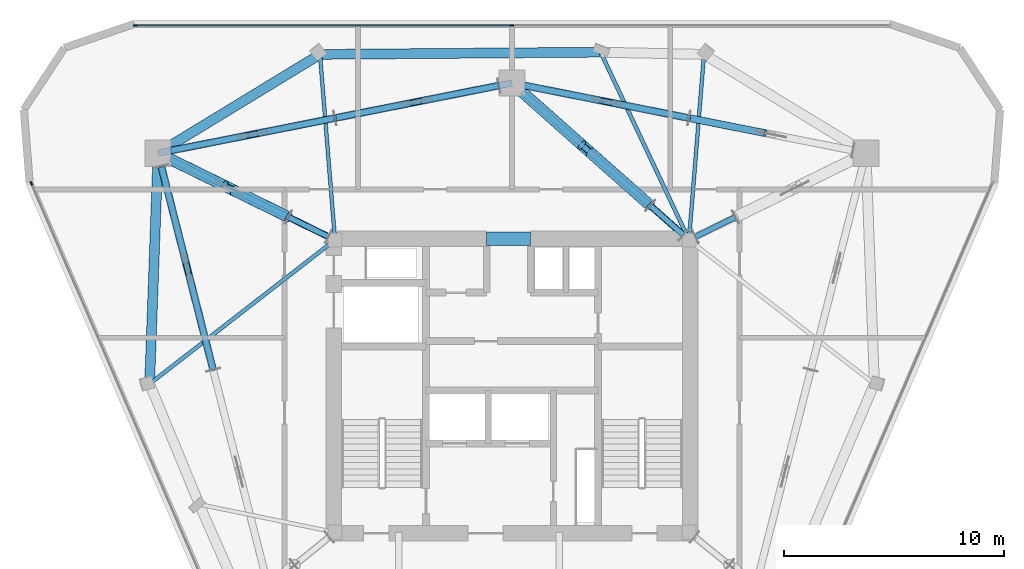
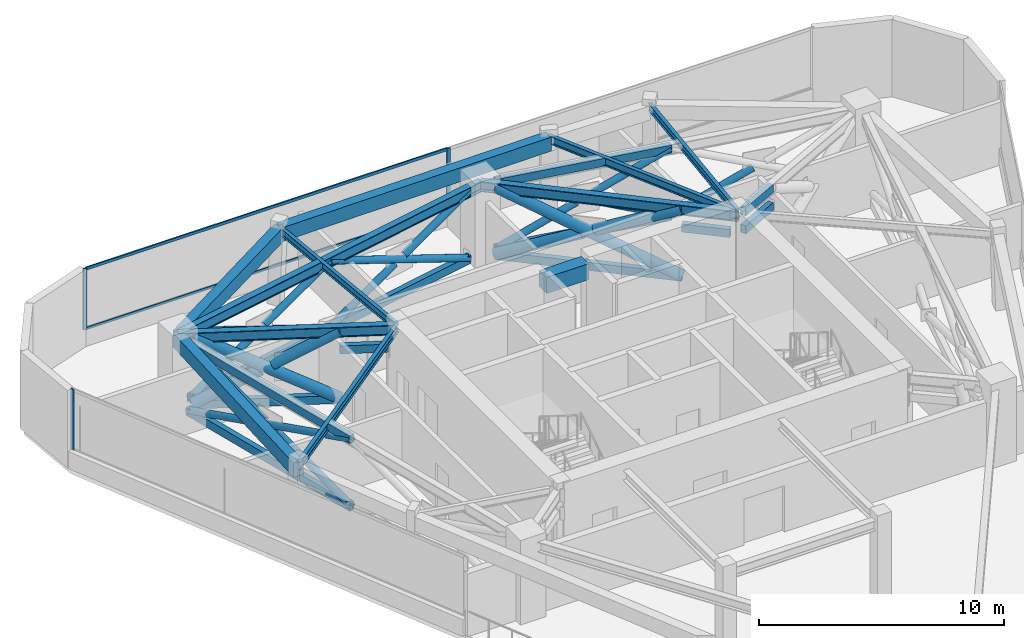
# One storey, part 4 of 10: 42 members, 11 beams, 2 elements without a shape of their own.
"""IFC4 building model written with IfcOpenShell, lengths in metres."""

from ifc_helpers import new_model, si_unit, direction, frame, origin, origin_2d, place, context, subcontext, project, spatial, rectangle, hollow_rectangle, hollow_circle, i_section, extrude, material, layer, layer_set, material_profile, profile_set, type_object, element, aggregate, save


model = new_model("IFC4")

# Units and contexts
model_context = context("Model", 3, precision=1e-05, world=origin(), true_north=direction((0.0, 1.0)))
body_context = subcontext(model_context, "Body", "Model", "MODEL_VIEW")
ifc_project = project(units=[si_unit("LENGTHUNIT", "METRE"), si_unit("AREAUNIT", "SQUARE_METRE"), si_unit("VOLUMEUNIT", "CUBIC_METRE"), si_unit("PLANEANGLEUNIT", "RADIAN"), si_unit("MASSUNIT", "GRAM", prefix="KILO")], contexts=[model_context])

# Site, building, storey
site_placement = place(None, origin())
site = spatial("IfcSite", under=ifc_project, at=site_placement, CompositionType="ELEMENT")
building_placement = place(site_placement, origin())
building = spatial("IfcBuilding", under=site, at=building_placement, Name="Talyreon Biosciences Tower", CompositionType="ELEMENT")
storey_placement = place(building_placement, frame((0.0, 0.0, 275.39990234375)))
storey = spatial("IfcBuildingStorey", under=building, at=storey_placement, Name="L73", CompositionType="ELEMENT", Elevation=275.39990234375)

# Members
ifc_material_1 = material(Name="Steel SM355", Category="steel")
ifc_material_profile_1 = material_profile(ifc_material_1, hollow_rectangle(XDim=0.25, YDim=0.39990234375, WallThickness=0.01611328125, at=origin_2d()), Name="RHS 400x250x16")
ifc_profile_set_1 = profile_set([ifc_material_profile_1], Name="Steel SM355")
member_type_1 = type_object("IfcMemberType", Name="BeltChord_RHS400x250", PredefinedType="CHORD", material=ifc_profile_set_1)
for number, where, z_axis, x_axis, name in (
    (1, (74.350830078125, 74.797607421875, 3.60009765625), (0.897841833821, 0.440318113914, 0.0), (-0.440318113914, 0.897841833821, 0.0), "L73 Outrigger Core Top Tie 3"),
    (2, (74.350830078125, 74.797607421875, 2.7001953125), (0.897841833821, 0.440318113914, 0.0), (-0.440318113914, 0.897841833821, 0.0), "L73 Outrigger Core Plenum Tie 3"),
    (3, (73.79931640625, 74.872314453125, 3.60009765625), (-0.748184255594, 0.663491009495, 0.0), (-0.663491009495, -0.748184255594, 0.0), "L73 Outrigger Core Top Tie 4"),
    (4, (73.79931640625, 74.872314453125, 2.7001953125), (-0.748184255594, 0.663491009495, 0.0), (-0.663491009495, -0.748184255594, 0.0), "L73 Outrigger Core Plenum Tie 4"),
):
    element("IfcMember", number, at=place(storey_placement, frame(where, z_axis=z_axis, x_axis=x_axis)), inside=storey, type_object=member_type_1, Name=name, PredefinedType="CHORD", context=body_context, shape_type="SweptSolid", body=[
        extrude(hollow_rectangle(XDim=0.25, YDim=0.39990234375, WallThickness=0.01611328125, at=origin_2d()), origin(), (0.0, 0.0, 1.0), 2.014892578125),
    ])
for number, where, z_axis, x_axis, name in (
    (5, (72.291748046875, 76.209228515625, 0.239990234375), (-0.748173880498, 0.663502708766, 0.0), (-0.663502708766, -0.748173880498, 0.0), "L73 Truss Bottom Chord OUT-L73-R4"),
    (6, (72.291748046875, 76.209228515625, 3.60009765625), (-0.748173880498, 0.663502708766, 0.0), (-0.663502708766, -0.748173880498, 0.0), "L73 Truss Top Chord OUT-L73-R4"),
):
    element("IfcMember", number, at=place(storey_placement, frame(where, z_axis=z_axis, x_axis=x_axis)), inside=storey, type_object=member_type_1, Name=name, PredefinedType="CHORD", context=body_context, shape_type="SweptSolid", body=[
        extrude(hollow_rectangle(XDim=0.25, YDim=0.39990234375, WallThickness=0.01611328125, at=origin_2d()), origin(), (0.0, 0.0, 1.0), 7.799560546875),
    ])
for number, where, z_axis, x_axis, name in (
    (7, (57.649169921875, 74.797607421875, 3.60009765625), (-0.897841833821, 0.440318113914, 0.0), (-0.440318113914, -0.897841833821, 0.0), "L73 Outrigger Core Top Tie 5"),
    (8, (57.649169921875, 74.797607421875, 2.7001953125), (-0.897841833821, 0.440318113914, 0.0), (-0.440318113914, -0.897841833821, 0.0), "L73 Outrigger Core Plenum Tie 5"),
):
    element("IfcMember", number, at=place(storey_placement, frame(where, z_axis=z_axis, x_axis=x_axis)), inside=storey, type_object=member_type_1, Name=name, PredefinedType="CHORD", context=body_context, shape_type="SweptSolid", body=[
        extrude(hollow_rectangle(XDim=0.25, YDim=0.39990234375, WallThickness=0.01611328125, at=origin_2d()), origin(), (0.0, 0.0, 1.0), 2.014892578125),
    ])
for number, where, z_axis, x_axis, name in (
    (9, (55.840087890625, 75.684814453125, 0.239990234375), (-0.897870334783, 0.440259993545, 0.0), (-0.440259993545, -0.897870334783, 0.0), "L73 Truss Bottom Chord OUT-L73-R5"),
    (10, (55.840087890625, 75.684814453125, 3.60009765625), (-0.897870334783, 0.440259993545, 0.0), (-0.440259993545, -0.897870334783, 0.0), "L73 Truss Top Chord OUT-L73-R5"),
):
    element("IfcMember", number, at=place(storey_placement, frame(where, z_axis=z_axis, x_axis=x_axis)), inside=storey, type_object=member_type_1, Name=name, PredefinedType="CHORD", context=body_context, shape_type="SweptSolid", body=[
        extrude(hollow_rectangle(XDim=0.25, YDim=0.39990234375, WallThickness=0.01611328125, at=origin_2d()), origin(), (0.0, 0.0, 1.0), 6.00830078125),
    ])
for number, where, z_axis, x_axis, name in (
    (11, (74.05126953125, 80.19384765625, 0.239990234375), (-0.980933774258, 0.194342302444, 0.0), (-0.194342302444, -0.980933774258, 0.0), "L73 Truss Bottom Chord BELT-L73-B3S2"),
    (12, (74.05126953125, 80.19384765625, 3.60009765625), (-0.980933774258, 0.194342302444, 0.0), (-0.194342302444, -0.980933774258, 0.0), "L73 Truss Top Chord BELT-L73-B3S2"),
    (13, (65.401611328125, 81.67041015625, 0.239990234375), (-0.980933774258, -0.194342302444, 0.0), (0.194342302444, -0.980933774258, 0.0), "L73 Truss Bottom Chord BELT-L73-B4S1"),
    (14, (65.401611328125, 81.67041015625, 3.60009765625), (-0.980933774258, -0.194342302444, 0.0), (0.194342302444, -0.980933774258, 0.0), "L73 Truss Top Chord BELT-L73-B4S1"),
):
    element("IfcMember", number, at=place(storey_placement, frame(where, z_axis=z_axis, x_axis=x_axis)), inside=storey, type_object=member_type_1, Name=name, PredefinedType="CHORD", context=body_context, shape_type="SweptSolid", body=[
        extrude(hollow_rectangle(XDim=0.25, YDim=0.39990234375, WallThickness=0.01611328125, at=origin_2d()), origin(), (0.0, 0.0, 1.0), 7.59765625),
    ])
for number, where, z_axis, x_axis, name in (
    (15, (57.94873046875, 80.19384765625, 0.239990234375), (-0.98093256056, -0.19434842843, 0.0), (0.19434842843, -0.98093256056, 0.0), "L73 Truss Bottom Chord BELT-L73-B4S2"),
    (16, (57.94873046875, 80.19384765625, 3.60009765625), (-0.98093256056, -0.19434842843, 0.0), (0.19434842843, -0.98093256056, 0.0), "L73 Truss Top Chord BELT-L73-B4S2"),
):
    element("IfcMember", number, at=place(storey_placement, frame(where, z_axis=z_axis, x_axis=x_axis)), inside=storey, type_object=member_type_1, Name=name, PredefinedType="CHORD", context=body_context, shape_type="SweptSolid", body=[
        extrude(hollow_rectangle(XDim=0.25, YDim=0.39990234375, WallThickness=0.01611328125, at=origin_2d()), origin(), (0.0, 0.0, 1.0), 7.597412109375),
    ])
for number, where, z_axis, x_axis, name in (
    (17, (50.048095703125, 78.007568359375, 0.239990234375), (0.246534116519, -0.969134113213, 0.0), (0.969134113213, 0.246534116519, 0.0), "L73 Truss Bottom Chord BELT-L73-B5S1"),
    (18, (50.048095703125, 78.007568359375, 3.60009765625), (0.246534116519, -0.969134113213, 0.0), (0.969134113213, 0.246534116519, 0.0), "L73 Truss Top Chord BELT-L73-B5S1"),
):
    element("IfcMember", number, at=place(storey_placement, frame(where, z_axis=z_axis, x_axis=x_axis)), inside=storey, type_object=member_type_1, Name=name, PredefinedType="CHORD", context=body_context, shape_type="SweptSolid", body=[
        extrude(hollow_rectangle(XDim=0.25, YDim=0.39990234375, WallThickness=0.01611328125, at=origin_2d()), origin(), (0.0, 0.0, 1.0), 9.563232421875),
    ])

# Curtain wall, members
ifc_material_2 = material(Name="Thermally broken aluminium and low-E glazing", Category="aluminium")
ifc_layer = layer(ifc_material_2, 0.175048828125)
ifc_layer_set = layer_set([ifc_layer], Name="Thermally broken aluminium and low-E glazing")
curtain_wall_type = type_object("IfcCurtainWallType", Name="CurtainWall_Zone5CompLab", PredefinedType="NOTDEFINED", material=ifc_layer_set)
curtain_wall_1_placement = place(storey_placement, origin())
curtain_wall_1 = element("IfcCurtainWall", 19, at=curtain_wall_1_placement, inside=storey, type_object=curtain_wall_type, Name="L73 Unitised Curtain Wall FCW-L73-03", PredefinedType="NOTDEFINED")
ifc_material_3 = material(Name="Anodised thermally broken aluminium", Category="aluminium")
ifc_material_profile_2 = material_profile(ifc_material_3, rectangle(XDim=0.06494140625, YDim=0.179931640625, at=origin_2d()), Name="ALUM MULLION 65x180")
ifc_profile_set_2 = profile_set([ifc_material_profile_2], Name="Anodised thermally broken aluminium")
member_type_2 = type_object("IfcMemberType", Name="CWMullion_65x180", PredefinedType="MULLION", material=ifc_profile_set_2)
member_1_placement = place(storey_placement, frame((48.859375, 84.404052734375, 0.81005859375), z_axis=(0.0, 0.0, 1.0), x_axis=(0.0, 1.0, 0.0)))
member_1 = element("IfcMember", 20, at=member_1_placement, type_object=member_type_2, Name="CW6 mullion 1", PredefinedType="MULLION", context=body_context, shape_type="SweptSolid", body=[
    extrude(rectangle(XDim=0.06494140625, YDim=0.179931640625, at=origin_2d()), origin(), (0.0, 0.0, 1.0), 3.0400390625),
])
member_2_placement = place(storey_placement, frame((66.0, 84.404052734375, 0.81005859375), z_axis=(0.0, 0.0, 1.0), x_axis=(0.0, 1.0, 0.0)))
member_2 = element("IfcMember", 21, at=member_2_placement, type_object=member_type_2, Name="CW6 mullion 2", PredefinedType="MULLION", context=body_context, shape_type="SweptSolid", body=[
    extrude(rectangle(XDim=0.06494140625, YDim=0.179931640625, at=origin_2d()), origin(), (0.0, 0.0, 1.0), 3.0400390625),
])

# Curtain wall, member
curtain_wall_2_placement = place(storey_placement, origin())
curtain_wall_2 = element("IfcCurtainWall", 22, at=curtain_wall_2_placement, inside=storey, type_object=curtain_wall_type, Name="L73 Unitised Curtain Wall FCW-L73-09", PredefinedType="NOTDEFINED")
member_3_placement = place(storey_placement, frame((44.140380859375, 77.22216796875, 0.81005859375), z_axis=(0.0, 0.0, 1.0), x_axis=(-0.917866750058, -0.39688868608, 0.0)))
member_3 = element("IfcMember", 23, at=member_3_placement, type_object=member_type_2, Name="CW6 mullion 2", PredefinedType="MULLION", context=body_context, shape_type="SweptSolid", body=[
    extrude(rectangle(XDim=0.06494140625, YDim=0.179931640625, at=origin_2d()), origin(), (0.0, 0.0, 1.0), 3.0400390625),
])
aggregate(curtain_wall_2, [member_3])

# Member
ifc_material_profile_3 = material_profile(ifc_material_3, rectangle(XDim=0.06494140625, YDim=0.139892578125, at=origin_2d()), Name="ALUM TRANSOM 65x140")
ifc_profile_set_3 = profile_set([ifc_material_profile_3], Name="Anodised thermally broken aluminium")
member_type_3 = type_object("IfcMemberType", Name="CWTransom_65x140", PredefinedType="USERDEFINED", material=ifc_profile_set_3)
member_4_placement = place(storey_placement, frame((48.891845703125, 84.404052734375, 0.842529296875), z_axis=(1.0, 0.0, 0.0), x_axis=(0.0, 1.0, 0.0)))
member_4 = element("IfcMember", 24, at=member_4_placement, type_object=member_type_3, Name="CW6 transom 1.1", ObjectType="TRANSOM", PredefinedType="USERDEFINED", context=body_context, shape_type="SweptSolid", body=[
    extrude(rectangle(XDim=0.06494140625, YDim=0.139892578125, at=origin_2d()), origin(), (0.0, 0.0, 1.0), 17.07568359375),
])

member_5_placement = place(storey_placement, frame((48.891845703125, 84.404052734375, 3.817626953125), z_axis=(1.0, 0.0, 0.0), x_axis=(0.0, 1.0, 0.0)))
member_5 = element("IfcMember", 25, at=member_5_placement, type_object=member_type_3, Name="CW6 transom 1.2", ObjectType="TRANSOM", PredefinedType="USERDEFINED", context=body_context, shape_type="SweptSolid", body=[
    extrude(rectangle(XDim=0.06494140625, YDim=0.139892578125, at=origin_2d()), origin(), (0.0, 0.0, 1.0), 17.07568359375),
])

aggregate(curtain_wall_1, [member_1, member_2, member_4, member_5])

# Beams
ifc_material_4 = material(Name="Concrete C50/60", Category="concrete")
ifc_material_profile_4 = material_profile(ifc_material_4, rectangle(XDim=0.60009765625, YDim=0.800048828125, at=origin_2d()), Name="RCB 600x800")
ifc_profile_set_4 = profile_set([ifc_material_profile_4], Name="Concrete C50/60")
beam_type_1 = type_object("IfcBeamType", Name="CoreCouplingLintel_600x800", PredefinedType="LINTEL", material=ifc_profile_set_4)
beam_1_placement = place(storey_placement, frame((64.85009765625, 74.699951171875, 3.4501953125), z_axis=(1.0, 0.0, 0.0), x_axis=(0.0, 1.0, 0.0)))
element("IfcBeam", 26, at=beam_1_placement, inside=storey, type_object=beam_type_1, Name="L73 Core Coupling Lintel", PredefinedType="LINTEL", context=body_context, shape_type="SweptSolid", body=[
    extrude(rectangle(XDim=0.60009765625, YDim=0.800048828125, at=origin_2d()), origin(), (0.0, 0.0, 1.0), 2.0),
])
ifc_material_5 = material(Name="Precast concrete C45/55", Category="concrete")
ifc_material_profile_5 = material_profile(ifc_material_5, rectangle(XDim=0.449951171875, YDim=0.699951171875, at=origin_2d()), Name="RCB 450x700")
ifc_profile_set_5 = profile_set([ifc_material_profile_5], Name="Precast concrete C45/55")
beam_type_2 = type_object("IfcBeamType", Name="ExpressedSpandrel_450x700", PredefinedType="SPANDREL", material=ifc_profile_set_5)
beam_2_placement = place(storey_placement, frame((70.031005859375, 83.189453125, 3.5), z_axis=(-0.999969405563, -0.007822271911, 0.0), x_axis=(0.007822271911, -0.999969405563, 0.0)))
element("IfcBeam", 27, at=beam_2_placement, inside=storey, type_object=beam_type_2, Name="L73 Expressed Horizontal Concrete Spandrel 07", PredefinedType="SPANDREL", context=body_context, shape_type="SweptSolid", body=[
    extrude(rectangle(XDim=0.449951171875, YDim=0.699951171875, at=origin_2d()), origin(), (0.0, 0.0, 1.0), 12.765380859375),
])
beam_3_placement = place(storey_placement, frame((57.26611328125, 83.089599609375, 3.5), z_axis=(-0.853897379742, -0.520441413484, 0.0), x_axis=(0.520441413484, -0.853897379742, 0.0)))
element("IfcBeam", 28, at=beam_3_placement, inside=storey, type_object=beam_type_2, Name="L73 Expressed Horizontal Concrete Spandrel 08", PredefinedType="SPANDREL", context=body_context, shape_type="SweptSolid", body=[
    extrude(rectangle(XDim=0.449951171875, YDim=0.699951171875, at=origin_2d()), origin(), (0.0, 0.0, 1.0), 8.629150390625),
])
beam_4_placement = place(storey_placement, frame((49.897705078125, 78.5986328125, 3.5), z_axis=(-0.036243793387, -0.999342977881, 0.0), x_axis=(0.999342977881, -0.036243793387, 0.0)))
element("IfcBeam", 29, at=beam_4_placement, inside=storey, type_object=beam_type_2, Name="L73 Expressed Horizontal Concrete Spandrel 09", PredefinedType="SPANDREL", context=body_context, shape_type="SweptSolid", body=[
    extrude(rectangle(XDim=0.449951171875, YDim=0.699951171875, at=origin_2d()), origin(), (0.0, 0.0, 1.0), 10.50146484375),
])

# Members
ifc_material_profile_6 = material_profile(ifc_material_1, hollow_circle(Radius=0.25390625, WallThickness=0.02001953125, at=origin_2d()), Name="CHS 508x20")
ifc_profile_set_6 = profile_set([ifc_material_profile_6], Name="Steel SM355")
member_type_4 = type_object("IfcMemberType", Name="OutriggerBrace_CHS508", PredefinedType="BRACE", material=ifc_profile_set_6)
member_6_placement = place(storey_placement, frame((72.291748046875, 76.209228515625, 0.239990234375), z_axis=(-0.687123232875, 0.609361190162, 0.395652123423), x_axis=(-0.663502708766, -0.748173880498, 0.0)))
element("IfcMember", 30, at=member_6_placement, inside=storey, type_object=member_type_4, Name="L73 Continuous Diagonal OUT-L73-R4A", PredefinedType="BRACE", context=body_context, shape_type="SweptSolid", body=[
    extrude(hollow_circle(Radius=0.25390625, WallThickness=0.02001953125, at=origin_2d()), origin(), (0.0, 0.0, 1.0), 8.49267578125),
])
for number, where, z_axis, x_axis, name in (
    (31, (66.456298828125, 81.38427734375, 0.239990234375), (0.687110960613, -0.609370107504, 0.395659702125), (0.663514777258, 0.748163177629, 0.0), "L73 Split Diagonal OUT-L73-R4B-Lower"),
    (32, (69.56640625, 78.626220703125, 2.031005859375), (0.687127693726, -0.609384947405, 0.395607783533), (0.663514777258, 0.748163177629, 0.0), "L73 Split Diagonal OUT-L73-R4B-Upper"),
):
    element("IfcMember", number, at=place(storey_placement, frame(where, z_axis=z_axis, x_axis=x_axis)), inside=storey, type_object=member_type_4, Name=name, PredefinedType="BRACE", context=body_context, shape_type="SweptSolid", body=[
        extrude(hollow_circle(Radius=0.25390625, WallThickness=0.02001953125, at=origin_2d()), origin(), (0.0, 0.0, 1.0), 3.96630859375),
    ])
member_7_placement = place(storey_placement, frame((55.840087890625, 75.684814453125, 0.239990234375), z_axis=(-0.783653104267, 0.384254938893, 0.488094206183), x_axis=(-0.440259993545, -0.897870334783, 0.0)))
element("IfcMember", 33, at=member_7_placement, inside=storey, type_object=member_type_4, Name="L73 Continuous Diagonal OUT-L73-R5A", PredefinedType="BRACE", context=body_context, shape_type="SweptSolid", body=[
    extrude(hollow_circle(Radius=0.25390625, WallThickness=0.02001953125, at=origin_2d()), origin(), (0.0, 0.0, 1.0), 6.884033203125),
])
for number, where, z_axis, x_axis, name in (
    (34, (50.4453125, 78.330078125, 0.239990234375), (0.783647785422, -0.384257638231, 0.488100620634), (0.440264895819, 0.897867930995, 0.0), "L73 Split Diagonal OUT-L73-R5B-Lower"),
    (35, (53.362060546875, 76.89990234375, 2.056884765625), (0.783677316231, -0.38427211851, 0.488041804522), (0.440264895819, 0.897867930995, 0.0), "L73 Split Diagonal OUT-L73-R5B-Upper"),
):
    element("IfcMember", number, at=place(storey_placement, frame(where, z_axis=z_axis, x_axis=x_axis)), inside=storey, type_object=member_type_4, Name=name, PredefinedType="BRACE", context=body_context, shape_type="SweptSolid", body=[
        extrude(hollow_circle(Radius=0.25390625, WallThickness=0.02001953125, at=origin_2d()), origin(), (0.0, 0.0, 1.0), 3.162109375),
    ])
ifc_material_profile_7 = material_profile(ifc_material_1, hollow_circle(Radius=0.161865234375, WallThickness=0.012451171875, at=origin_2d()), Name="CHS 323.9x12.5")
ifc_profile_set_7 = profile_set([ifc_material_profile_7], Name="Steel SM355")
member_type_5 = type_object("IfcMemberType", Name="PortalBrace_CHS324", PredefinedType="BRACE", material=ifc_profile_set_7)
member_8_placement = place(storey_placement, frame((74.05126953125, 80.19384765625, 0.239990234375), z_axis=(0.897103033842, -0.177731527008, 0.404496787354), x_axis=(0.194339930356, 0.980934244213, 0.0)))
element("IfcMember", 36, at=member_8_placement, inside=storey, type_object=member_type_5, Name="L73 Split Diagonal BELT-L73-B3S1B-Lower", PredefinedType="BRACE", context=body_context, shape_type="SweptSolid", body=[
    extrude(hollow_circle(Radius=0.161865234375, WallThickness=0.012451171875, at=origin_2d()), origin(), (0.0, 0.0, 1.0), 3.873779296875),
])
member_9_placement = place(storey_placement, frame((74.05126953125, 80.19384765625, 0.239990234375), z_axis=(-0.897117465868, 0.177736640796, 0.404462530964), x_axis=(-0.194342302444, -0.980933774258, 0.0)))
element("IfcMember", 37, at=member_9_placement, inside=storey, type_object=member_type_5, Name="L73 Continuous Diagonal BELT-L73-B3S2A", PredefinedType="BRACE", context=body_context, shape_type="SweptSolid", body=[
    extrude(hollow_circle(Radius=0.161865234375, WallThickness=0.012451171875, at=origin_2d()), origin(), (0.0, 0.0, 1.0), 8.3076171875),
])
member_10_placement = place(storey_placement, frame((66.598388671875, 81.67041015625, 0.239990234375), z_axis=(0.897103033842, -0.177731527008, 0.404496787354), x_axis=(0.194339930356, 0.980934244213, 0.0)))
element("IfcMember", 38, at=member_10_placement, inside=storey, type_object=member_type_5, Name="L73 Split Diagonal BELT-L73-B3S2B-Lower", PredefinedType="BRACE", context=body_context, shape_type="SweptSolid", body=[
    extrude(hollow_circle(Radius=0.161865234375, WallThickness=0.012451171875, at=origin_2d()), origin(), (0.0, 0.0, 1.0), 3.873779296875),
])
member_11_placement = place(storey_placement, frame((70.575927734375, 80.88232421875, 2.033203125), z_axis=(0.897115335737, -0.177721478523, 0.404473918142), x_axis=(0.194326793661, 0.980936846726, 0.0)))
element("IfcMember", 39, at=member_11_placement, inside=storey, type_object=member_type_5, Name="L73 Split Diagonal BELT-L73-B3S2B-Upper", PredefinedType="BRACE", context=body_context, shape_type="SweptSolid", body=[
    extrude(hollow_circle(Radius=0.161865234375, WallThickness=0.012451171875, at=origin_2d()), origin(), (0.0, 0.0, 1.0), 3.8740234375),
])
member_12_placement = place(storey_placement, frame((65.401611328125, 81.67041015625, 0.239990234375), z_axis=(-0.897117465868, -0.177736640796, 0.404462530964), x_axis=(0.194342302444, -0.980933774258, 0.0)))
element("IfcMember", 40, at=member_12_placement, inside=storey, type_object=member_type_5, Name="L73 Continuous Diagonal BELT-L73-B4S1A", PredefinedType="BRACE", context=body_context, shape_type="SweptSolid", body=[
    extrude(hollow_circle(Radius=0.161865234375, WallThickness=0.012451171875, at=origin_2d()), origin(), (0.0, 0.0, 1.0), 8.3076171875),
])
member_13_placement = place(storey_placement, frame((57.94873046875, 80.19384765625, 0.239990234375), z_axis=(0.897115335737, 0.177721478523, 0.404473918142), x_axis=(-0.194326793661, 0.980936846726, 0.0)))
element("IfcMember", 41, at=member_13_placement, inside=storey, type_object=member_type_5, Name="L73 Split Diagonal BELT-L73-B4S1B-Lower", PredefinedType="BRACE", context=body_context, shape_type="SweptSolid", body=[
    extrude(hollow_circle(Radius=0.161865234375, WallThickness=0.012451171875, at=origin_2d()), origin(), (0.0, 0.0, 1.0), 3.8740234375),
])
member_14_placement = place(storey_placement, frame((61.926513671875, 80.98193359375, 2.033203125), z_axis=(0.897103033842, 0.177731527008, 0.404496787354), x_axis=(-0.194339930356, 0.980934244213, 0.0)))
element("IfcMember", 42, at=member_14_placement, inside=storey, type_object=member_type_5, Name="L73 Split Diagonal BELT-L73-B4S1B-Upper", PredefinedType="BRACE", context=body_context, shape_type="SweptSolid", body=[
    extrude(hollow_circle(Radius=0.161865234375, WallThickness=0.012451171875, at=origin_2d()), origin(), (0.0, 0.0, 1.0), 3.873779296875),
])
member_15_placement = place(storey_placement, frame((57.94873046875, 80.19384765625, 0.239990234375), z_axis=(-0.897111729748, -0.177741326787, 0.40447319454), x_axis=(0.19434842843, -0.98093256056, 0.0)))
element("IfcMember", 43, at=member_15_placement, inside=storey, type_object=member_type_5, Name="L73 Continuous Diagonal BELT-L73-B4S2A", PredefinedType="BRACE", context=body_context, shape_type="SweptSolid", body=[
    extrude(hollow_circle(Radius=0.161865234375, WallThickness=0.012451171875, at=origin_2d()), origin(), (0.0, 0.0, 1.0), 8.307373046875),
])
for number, where, z_axis, x_axis, name in (
    (44, (50.49609375, 78.71728515625, 0.239990234375), (0.897103033842, 0.177731527008, 0.404496787354), (-0.194339930356, 0.980934244213, 0.0), "L73 Split Diagonal BELT-L73-B4S2B-Lower"),
    (45, (54.4736328125, 79.50537109375, 2.033203125), (0.897103033842, 0.177731527008, 0.404496787354), (-0.194339930356, 0.980934244213, 0.0), "L73 Split Diagonal BELT-L73-B4S2B-Upper"),
):
    element("IfcMember", number, at=place(storey_placement, frame(where, z_axis=z_axis, x_axis=x_axis)), inside=storey, type_object=member_type_5, Name=name, PredefinedType="BRACE", context=body_context, shape_type="SweptSolid", body=[
        extrude(hollow_circle(Radius=0.161865234375, WallThickness=0.012451171875, at=origin_2d()), origin(), (0.0, 0.0, 1.0), 3.873779296875),
    ])
member_16_placement = place(storey_placement, frame((50.048095703125, 78.007568359375, 0.239990234375), z_axis=(0.232594742555, -0.914337953491, 0.3314902601), x_axis=(0.969134113213, 0.246534116519, 0.0)))
element("IfcMember", 46, at=member_16_placement, inside=storey, type_object=member_type_5, Name="L73 Continuous Diagonal BELT-L73-B5S1A", PredefinedType="BRACE", context=body_context, shape_type="SweptSolid", body=[
    extrude(hollow_circle(Radius=0.161865234375, WallThickness=0.012451171875, at=origin_2d()), origin(), (0.0, 0.0, 1.0), 10.136474609375),
])
member_17_placement = place(storey_placement, frame((52.40576171875, 68.739501953125, 0.239990234375), z_axis=(-0.232608474613, 0.91432160604, 0.33152571283), x_axis=(-0.969129582309, -0.246551926974, 0.0)))
element("IfcMember", 47, at=member_17_placement, inside=storey, type_object=member_type_5, Name="L73 Split Diagonal BELT-L73-B5S1B-Lower", PredefinedType="BRACE", context=body_context, shape_type="SweptSolid", body=[
    extrude(hollow_circle(Radius=0.161865234375, WallThickness=0.012451171875, at=origin_2d()), origin(), (0.0, 0.0, 1.0), 4.7880859375),
])
member_18_placement = place(storey_placement, frame((51.16162109375, 73.62939453125, 2.012939453125), z_axis=(-0.232553333131, 0.914356264645, 0.331468804799), x_axis=(-0.969145778328, -0.246488256006, 0.0)))
element("IfcMember", 48, at=member_18_placement, inside=storey, type_object=member_type_5, Name="L73 Split Diagonal BELT-L73-B5S1B-Upper", PredefinedType="BRACE", context=body_context, shape_type="SweptSolid", body=[
    extrude(hollow_circle(Radius=0.161865234375, WallThickness=0.012451171875, at=origin_2d()), origin(), (0.0, 0.0, 1.0), 4.788330078125),
])

# Beams
ifc_material_profile_8 = material_profile(ifc_material_1, i_section(OverallWidth=0.300048828125, OverallDepth=0.5, WebThickness=0.014404296875, FlangeThickness=0.028076171875, FilletRadius=0.027099609375, at=origin_2d()), Name="HE500B")
ifc_profile_set_8 = profile_set([ifc_material_profile_8], Name="Steel SM355")
beam_type_3 = type_object("IfcBeamType", Name="SteelBeam_HE500B", PredefinedType="BEAM", material=ifc_profile_set_8)
beam_5_placement = place(storey_placement, frame((66.0, 81.788818359375, 3.60009765625), z_axis=(-0.980933730698, -0.194342522311, 0.0), x_axis=(0.194342522311, -0.980933730698, 0.0)))
element("IfcBeam", 49, at=beam_5_placement, inside=storey, type_object=beam_type_3, Name="L73 Mega-Ring Girder 4", PredefinedType="BEAM", context=body_context, shape_type="SweptSolid", body=[
    extrude(i_section(OverallWidth=0.300048828125, OverallDepth=0.5, WebThickness=0.014404296875, FlangeThickness=0.028076171875, FilletRadius=0.027099609375, at=origin_2d()), origin(), (0.0, 0.0, 1.0), 16.415283203125),
])
beam_6_placement = place(storey_placement, frame((74.050048828125, 74.64990234375, 3.60009765625), z_axis=(-0.748178733955, 0.663497235908, 0.0), x_axis=(-0.663497235908, -0.748178733955, 0.0)))
element("IfcBeam", 50, at=beam_6_placement, inside=storey, type_object=beam_type_3, Name="L73 Radial Primary Girder 4", PredefinedType="BEAM", context=body_context, shape_type="SweptSolid", body=[
    extrude(i_section(OverallWidth=0.300048828125, OverallDepth=0.5, WebThickness=0.014404296875, FlangeThickness=0.028076171875, FilletRadius=0.027099609375, at=origin_2d()), origin(), (0.0, 0.0, 1.0), 10.759521484375),
])
beam_7_placement = place(storey_placement, frame((57.949951171875, 74.64990234375, 3.60009765625), z_axis=(-0.897852360314, 0.440296648952, 0.0), x_axis=(-0.440296648952, -0.897852360314, 0.0)))
element("IfcBeam", 51, at=beam_7_placement, inside=storey, type_object=beam_type_3, Name="L73 Radial Primary Girder 5", PredefinedType="BEAM", context=body_context, shape_type="SweptSolid", body=[
    extrude(i_section(OverallWidth=0.300048828125, OverallDepth=0.5, WebThickness=0.014404296875, FlangeThickness=0.028076171875, FilletRadius=0.027099609375, at=origin_2d()), origin(), (0.0, 0.0, 1.0), 8.96826171875),
])
ifc_material_profile_9 = material_profile(ifc_material_1, i_section(OverallWidth=0.169921875, OverallDepth=0.360107421875, WebThickness=0.008056640625, FlangeThickness=0.0126953125, FilletRadius=0.01806640625, at=origin_2d()), Name="IPE360")
ifc_profile_set_9 = profile_set([ifc_material_profile_9], Name="Steel SM355")
beam_type_4 = type_object("IfcBeamType", Name="SteelJoist_IPE360", PredefinedType="JOIST", material=ifc_profile_set_9)
for number, where, z_axis, x_axis, name in (
    (52, (74.050048828125, 74.64990234375, 3.670166015625), (0.080761675701, 0.996733440664, 0.0), (-0.996733440664, 0.080761675701, 0.0), "L73 Radial Composite Floor Joist PC-N1"),
    (53, (57.949951171875, 74.64990234375, 3.670166015625), (-0.080761675701, 0.996733440664, 0.0), (-0.996733440664, -0.080761675701, 0.0), "L73 Radial Composite Floor Joist PC-N2"),
):
    element("IfcBeam", number, at=place(storey_placement, frame(where, z_axis=z_axis, x_axis=x_axis)), inside=storey, type_object=beam_type_4, Name=name, PredefinedType="JOIST", context=body_context, shape_type="SweptSolid", body=[
        extrude(i_section(OverallWidth=0.169921875, OverallDepth=0.360107421875, WebThickness=0.008056640625, FlangeThickness=0.0126953125, FilletRadius=0.01806640625, at=origin_2d()), origin(), (0.0, 0.0, 1.0), 8.46728515625),
    ])
ifc_material_profile_10 = material_profile(ifc_material_1, i_section(OverallWidth=0.179931640625, OverallDepth=0.39990234375, WebThickness=0.008544921875, FlangeThickness=0.013427734375, FilletRadius=0.02099609375, at=origin_2d()), Name="IPE400")
ifc_profile_set_10 = profile_set([ifc_material_profile_10], Name="Steel SM355")
beam_type_5 = type_object("IfcBeamType", Name="SteelJoist_IPE400", PredefinedType="JOIST", material=ifc_profile_set_10)
beam_8_placement = place(storey_placement, frame((74.050048828125, 74.64990234375, 3.650146484375), z_axis=(-0.425834408593, 0.904801114311, 0.0), x_axis=(-0.904801114311, -0.425834408593, 0.0)))
element("IfcBeam", 54, at=beam_8_placement, inside=storey, type_object=beam_type_5, Name="L73 Radial Composite Floor Joist PL-N", PredefinedType="JOIST", context=body_context, shape_type="SweptSolid", body=[
    extrude(i_section(OverallWidth=0.179931640625, OverallDepth=0.39990234375, WebThickness=0.008544921875, FlangeThickness=0.013427734375, FilletRadius=0.02099609375, at=origin_2d()), origin(), (0.0, 0.0, 1.0), 9.43798828125),
])
beam_9_placement = place(storey_placement, frame((57.949951171875, 74.64990234375, 3.650146484375), z_axis=(-0.789941714948, -0.613181936284, 0.0), x_axis=(0.613181936284, -0.789941714948, 0.0)))
element("IfcBeam", 55, at=beam_9_placement, inside=storey, type_object=beam_type_5, Name="L73 Radial Composite Floor Joist PC-SW1", PredefinedType="JOIST", context=body_context, shape_type="SweptSolid", body=[
    extrude(i_section(OverallWidth=0.179931640625, OverallDepth=0.39990234375, WebThickness=0.008544921875, FlangeThickness=0.013427734375, FilletRadius=0.02099609375, at=origin_2d()), origin(), (0.0, 0.0, 1.0), 10.67529296875),
])

save(model, "model.ifc")
